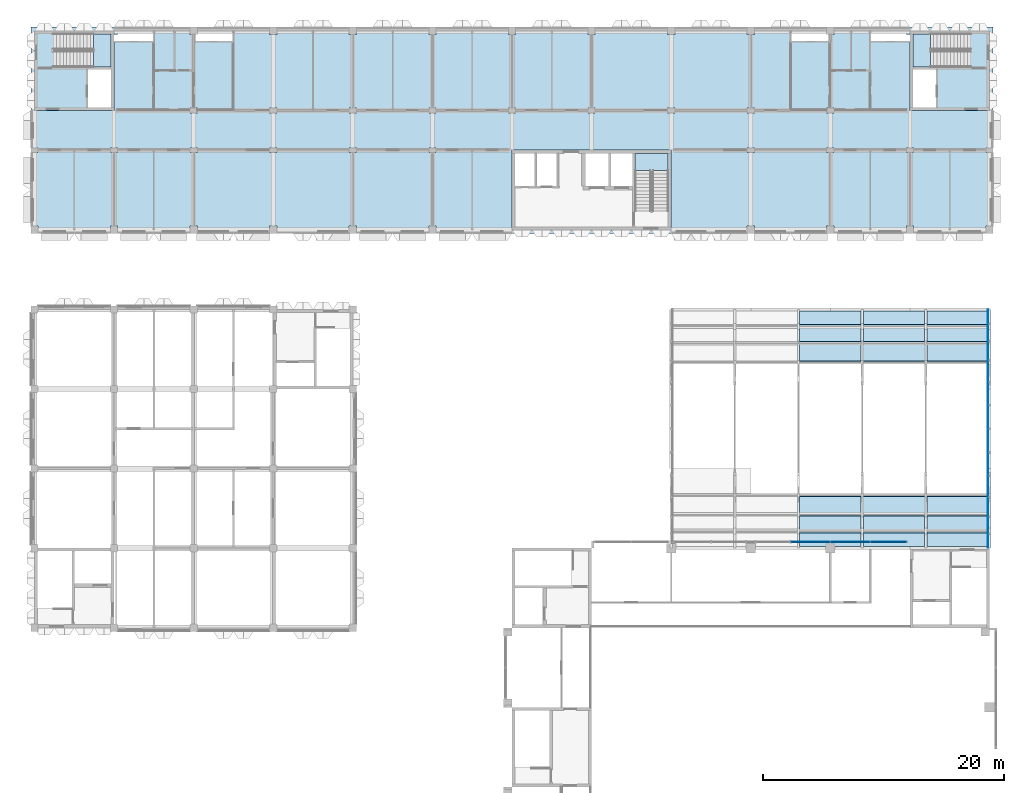
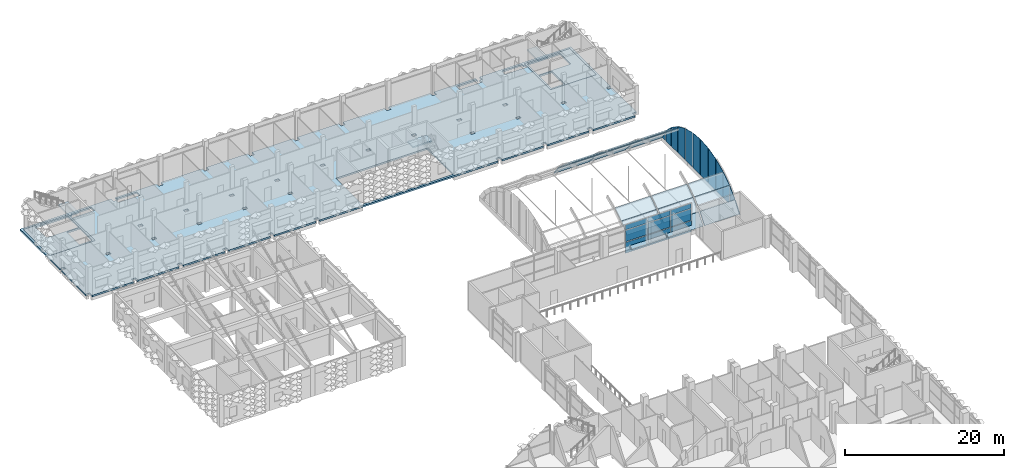
# One storey, part 39 of 102: 24 slabs, 21 plates, 4 elements without a shape of their own.
"""IFC4 building model written with IfcOpenShell, lengths in metres."""

from ifc_helpers import new_model, si_unit, direction, frame, origin, origin_2d, place, context, subcontext, project, spatial, polyline, rectangle, outline, extrude, material, layer, layer_set, type_object, element, aggregate, save


model = new_model("IFC4")

# Units and contexts
model_context = context("Model", 3, precision=1e-05, world=origin(), true_north=direction((0.0, 1.0)))
body_context = subcontext(model_context, "Body", "Model", "MODEL_VIEW")
ifc_project = project(units=[si_unit("LENGTHUNIT", "METRE"), si_unit("AREAUNIT", "SQUARE_METRE"), si_unit("VOLUMEUNIT", "CUBIC_METRE"), si_unit("PLANEANGLEUNIT", "RADIAN"), si_unit("MASSUNIT", "GRAM", prefix="KILO")], contexts=[model_context])

# Site, building, storey
site_placement = place(None, origin())
site = spatial("IfcSite", under=ifc_project, at=site_placement, CompositionType="ELEMENT")
building_placement = place(site_placement, origin())
building = spatial("IfcBuilding", under=site, at=building_placement, Name="Lantern Court Research Institute", CompositionType="ELEMENT")
storey_placement = place(building_placement, frame((0.0, 0.0, 9.89990234375)))
storey = spatial("IfcBuildingStorey", under=building, at=storey_placement, Name="L02", CompositionType="ELEMENT", Elevation=9.89990234375)

# Curtain wall, plates
ifc_material_1 = material(Name="Aluminium alloy 6063-T6", Category="aluminium")
curtain_wall_type = type_object("IfcCurtainWallType", Name="Curtain wall 19450 x 4500 x 150 aluminium frame", PredefinedType="NOTDEFINED", material=ifc_material_1)
curtain_wall_placement = place(storey_placement, origin())
curtain_wall = element("IfcCurtainWall", 1, at=curtain_wall_placement, inside=storey, type_object=curtain_wall_type, Name="Curtain wall CW036", PredefinedType="NOTDEFINED")
ifc_material_2 = material(Name="Fire-resisting insulated aluminium spandrel panel", Category="aluminium")
ifc_layer_1 = layer(ifc_material_2, 0.1201171875)
ifc_layer_set_1 = layer_set([ifc_layer_1], Name="Fire-resisting insulated aluminium spandrel panel")
plate_type_1 = type_object("IfcPlateType", Name="Fire-resisting spandrel panel 120 mm", PredefinedType="CURTAIN_PANEL", material=ifc_layer_set_1)
plate_1_placement = place(storey_placement, frame((64.35009765625, 56.625, 0.10009765625), z_axis=(0.0, 0.0, 1.0), x_axis=(1.0, 0.0, 0.0)))
plate_1 = element("IfcPlate", 2, at=plate_1_placement, type_object=plate_type_1, Name="CW036 spandrel panel 5.1", PredefinedType="CURTAIN_PANEL", context=body_context, shape_type="SweptSolid", body=[
    extrude(rectangle(XDim=3.199951171875, YDim=0.1201171875, at=origin_2d()), origin(), (0.0, 0.0, 1.0), 1.64990234375),
])
plate_2_placement = place(storey_placement, frame((67.64990234375, 56.625, 0.10009765625), z_axis=(0.0, 0.0, 1.0), x_axis=(1.0, 0.0, 0.0)))
plate_2 = element("IfcPlate", 3, at=plate_2_placement, type_object=plate_type_1, Name="CW036 spandrel panel 6.1", PredefinedType="CURTAIN_PANEL", context=body_context, shape_type="SweptSolid", body=[
    extrude(rectangle(XDim=3.199951171875, YDim=0.1201171875, at=origin_2d()), origin(), (0.0, 0.0, 1.0), 1.64990234375),
])
plate_3_placement = place(storey_placement, frame((70.824951171875, 56.625, 0.10009765625), z_axis=(0.0, 0.0, 1.0), x_axis=(1.0, 0.0, 0.0)))
plate_3 = element("IfcPlate", 4, at=plate_3_placement, type_object=plate_type_1, Name="CW036 spandrel panel 7.1", PredefinedType="CURTAIN_PANEL", context=body_context, shape_type="SweptSolid", body=[
    extrude(rectangle(XDim=2.949951171875, YDim=0.1201171875, at=origin_2d()), origin(), (0.0, 0.0, 1.0), 1.64990234375),
])

# Plates
ifc_material_3 = material(Name="Laminated low-emissivity glass", Category="glass")
ifc_layer_2 = layer(ifc_material_3, 0.035888671875)
ifc_layer_set_2 = layer_set([ifc_layer_2], Name="Laminated low-emissivity glass")
plate_type_2 = type_object("IfcPlateType", Name="Gable glazing panel 36", PredefinedType="SHEET", material=ifc_layer_set_2)
plate_4_placement = place(storey_placement, frame((79.08203125, 56.1201171875, 0.64013671875), z_axis=(0.0, 0.0, 1.0), x_axis=(0.0, 1.0, 0.0)))
element("IfcPlate", 5, at=plate_4_placement, inside=storey, type_object=plate_type_2, Name="Gable glazing panel", PredefinedType="SHEET", context=body_context, shape_type="SweptSolid", body=[
    extrude(outline(polyline([(0.0, 0.0), (1.09716796875, 0.0), (1.097412109375, 1.497314453125), (0.0, 0.02685546875), (0.0, 0.0)])), frame((0.0, 0.01806640625, 0.0), z_axis=(0.0, -1.0, 0.0), x_axis=(1.0, 0.0, 0.0)), (0.0, 0.0, 1.0), 0.035888671875),
])
plate_5_placement = place(storey_placement, frame((79.08203125, 57.33740234375, 0.64013671875), z_axis=(0.0, 0.0, 1.0), x_axis=(0.0, 1.0, 0.0)))
element("IfcPlate", 6, at=plate_5_placement, inside=storey, type_object=plate_type_2, Name="Gable glazing panel", PredefinedType="SHEET", context=body_context, shape_type="SweptSolid", body=[
    extrude(outline(polyline([(0.0, 0.0), (1.305908203125, 0.0), (1.305908203125, 2.877685546875), (0.0, 1.634765625), (0.0, 0.0)])), frame((0.0, 0.01806640625, 0.0), z_axis=(0.0, -1.0, 0.0), x_axis=(1.0, 0.0, 0.0)), (0.0, 0.0, 1.0), 0.035888671875),
])
plate_6_placement = place(storey_placement, frame((79.08203125, 58.763427734375, 0.64013671875), z_axis=(0.0, 0.0, 1.0), x_axis=(0.0, 1.0, 0.0)))
element("IfcPlate", 7, at=plate_6_placement, inside=storey, type_object=plate_type_2, Name="Gable glazing panel", PredefinedType="SHEET", context=body_context, shape_type="SweptSolid", body=[
    extrude(outline(polyline([(0.0, 0.0), (1.513916015625, 0.0), (1.513916015625, 3.992431640625), (0.0, 2.97509765625), (0.0, 0.0)])), frame((0.0, 0.01806640625, 0.0), z_axis=(0.0, -1.0, 0.0), x_axis=(1.0, 0.0, 0.0)), (0.0, 0.0, 1.0), 0.035888671875),
])
plate_7_placement = place(storey_placement, frame((79.08203125, 60.3974609375, 0.64013671875), z_axis=(0.0, 0.0, 1.0), x_axis=(0.0, 1.0, 0.0)))
element("IfcPlate", 8, at=plate_7_placement, inside=storey, type_object=plate_type_2, Name="Gable glazing panel", PredefinedType="SHEET", context=body_context, shape_type="SweptSolid", body=[
    extrude(outline(polyline([(0.0, 0.0), (1.67529296875, 0.0), (1.67529296875, 4.81298828125), (0.0, 4.0595703125), (0.0, 0.0)])), frame((0.0, 0.01806640625, 0.0), z_axis=(0.0, -1.0, 0.0), x_axis=(1.0, 0.0, 0.0)), (0.0, 0.0, 1.0), 0.035888671875),
])
plate_8_placement = place(storey_placement, frame((79.08203125, 62.19287109375, 0.64013671875), z_axis=(0.0, 0.0, 1.0), x_axis=(0.0, 1.0, 0.0)))
element("IfcPlate", 9, at=plate_8_placement, inside=storey, type_object=plate_type_2, Name="Gable glazing panel", PredefinedType="SHEET", context=body_context, shape_type="SweptSolid", body=[
    extrude(outline(polyline([(0.0, 0.0), (1.78564453125, 0.0), (1.78564453125, 5.318115234375), (0.0, 4.85546875), (0.0, 0.0)])), frame((0.0, 0.01806640625, 0.0), z_axis=(0.0, -1.0, 0.0), x_axis=(1.0, 0.0, 0.0)), (0.0, 0.0, 1.0), 0.035888671875),
])
plate_9_placement = place(storey_placement, frame((79.08203125, 64.098388671875, 0.64013671875), z_axis=(0.0, 0.0, 1.0), x_axis=(0.0, 1.0, 0.0)))
element("IfcPlate", 10, at=plate_9_placement, inside=storey, type_object=plate_type_2, Name="Gable glazing panel", PredefinedType="SHEET", context=body_context, shape_type="SweptSolid", body=[
    extrude(outline(polyline([(0.0, 0.0), (1.841552734375, 0.0), (1.841552734375, 5.494873046875), (0.0, 5.3388671875), (0.0, 0.0)])), frame((0.0, 0.01806640625, 0.0), z_axis=(0.0, -1.0, 0.0), x_axis=(1.0, 0.0, 0.0)), (0.0, 0.0, 1.0), 0.035888671875),
])
plate_10_placement = place(storey_placement, frame((79.08203125, 66.06005859375, 0.64013671875), z_axis=(0.0, 0.0, 1.0), x_axis=(0.0, 1.0, 0.0)))
element("IfcPlate", 11, at=plate_10_placement, inside=storey, type_object=plate_type_2, Name="Gable glazing panel", PredefinedType="SHEET", context=body_context, shape_type="SweptSolid", body=[
    extrude(outline(polyline([(0.0, 0.0), (1.841552734375, 0.0), (1.841552734375, 5.3388671875), (0.0, 5.494873046875), (0.0, 0.0)])), frame((0.0, 0.01806640625, 0.0), z_axis=(0.0, -1.0, 0.0), x_axis=(1.0, 0.0, 0.0)), (0.0, 0.0, 1.0), 0.035888671875),
])
plate_11_placement = place(storey_placement, frame((79.08203125, 68.021484375, 0.64013671875), z_axis=(0.0, 0.0, 1.0), x_axis=(0.0, 1.0, 0.0)))
element("IfcPlate", 12, at=plate_11_placement, inside=storey, type_object=plate_type_2, Name="Gable glazing panel", PredefinedType="SHEET", context=body_context, shape_type="SweptSolid", body=[
    extrude(outline(polyline([(0.0, 0.0), (1.78564453125, 0.0), (1.78564453125, 4.85546875), (0.0, 5.318115234375), (0.0, 0.0)])), frame((0.0, 0.01806640625, 0.0), z_axis=(0.0, -1.0, 0.0), x_axis=(1.0, 0.0, 0.0)), (0.0, 0.0, 1.0), 0.035888671875),
])
plate_12_placement = place(storey_placement, frame((79.08203125, 69.92724609375, 0.64013671875), z_axis=(0.0, 0.0, 1.0), x_axis=(0.0, 1.0, 0.0)))
element("IfcPlate", 13, at=plate_12_placement, inside=storey, type_object=plate_type_2, Name="Gable glazing panel", PredefinedType="SHEET", context=body_context, shape_type="SweptSolid", body=[
    extrude(outline(polyline([(0.0, 0.0), (1.67529296875, 0.0), (1.67529296875, 4.0595703125), (0.0, 4.81298828125), (0.0, 0.0)])), frame((0.0, 0.01806640625, 0.0), z_axis=(0.0, -1.0, 0.0), x_axis=(1.0, 0.0, 0.0)), (0.0, 0.0, 1.0), 0.035888671875),
])
plate_13_placement = place(storey_placement, frame((79.08203125, 71.72265625, 0.64013671875), z_axis=(0.0, 0.0, 1.0), x_axis=(0.0, 1.0, 0.0)))
element("IfcPlate", 14, at=plate_13_placement, inside=storey, type_object=plate_type_2, Name="Gable glazing panel", PredefinedType="SHEET", context=body_context, shape_type="SweptSolid", body=[
    extrude(outline(polyline([(0.0, 0.0), (1.513916015625, 0.0), (1.513916015625, 2.97509765625), (0.0, 3.992431640625), (0.0, 0.0)])), frame((0.0, 0.01806640625, 0.0), z_axis=(0.0, -1.0, 0.0), x_axis=(1.0, 0.0, 0.0)), (0.0, 0.0, 1.0), 0.035888671875),
])
plate_14_placement = place(storey_placement, frame((79.08203125, 73.356689453125, 0.64013671875), z_axis=(0.0, 0.0, 1.0), x_axis=(0.0, 1.0, 0.0)))
element("IfcPlate", 15, at=plate_14_placement, inside=storey, type_object=plate_type_2, Name="Gable glazing panel", PredefinedType="SHEET", context=body_context, shape_type="SweptSolid", body=[
    extrude(outline(polyline([(0.0, 0.0), (1.305908203125, 0.0), (1.305908203125, 1.634765625), (0.0, 2.877685546875), (0.0, 0.0)])), frame((0.0, 0.01806640625, 0.0), z_axis=(0.0, -1.0, 0.0), x_axis=(1.0, 0.0, 0.0)), (0.0, 0.0, 1.0), 0.035888671875),
])
plate_15_placement = place(storey_placement, frame((79.08203125, 74.78271484375, 0.64013671875), z_axis=(0.0, 0.0, 1.0), x_axis=(0.0, 1.0, 0.0)))
element("IfcPlate", 16, at=plate_15_placement, inside=storey, type_object=plate_type_2, Name="Gable glazing panel", PredefinedType="SHEET", context=body_context, shape_type="SweptSolid", body=[
    extrude(outline(polyline([(0.0, 0.0), (1.09716796875, 0.0), (1.097412109375, 0.02685546875), (0.0, 1.497314453125), (0.0, 0.0)])), frame((0.0, 0.01806640625, 0.0), z_axis=(0.0, -1.0, 0.0), x_axis=(1.0, 0.0, 0.0)), (0.0, 0.0, 1.0), 0.035888671875),
])

# Plate
ifc_material_4 = material(Name="Laminated low-emissivity glass", Category="glass")
ifc_layer_3 = layer(ifc_material_4, 0.028076171875)
ifc_layer_set_3 = layer_set([ifc_layer_3], Name="Laminated low-emissivity glass")
plate_type_3 = type_object("IfcPlateType", Name="Laminated low-emissivity unit 28 mm", PredefinedType="CURTAIN_PANEL", material=ifc_layer_set_3)
plate_16_placement = place(storey_placement, frame((64.35009765625, 56.625, 1.85009765625), z_axis=(0.0, 0.0, 1.0), x_axis=(1.0, 0.0, 0.0)))
plate_16 = element("IfcPlate", 17, at=plate_16_placement, type_object=plate_type_3, Name="CW036 glazed panel 5.2", PredefinedType="CURTAIN_PANEL", context=body_context, shape_type="SweptSolid", body=[
    extrude(rectangle(XDim=3.199951171875, YDim=0.028076171875, at=origin_2d()), origin(), (0.0, 0.0, 1.0), 1.699951171875),
])

plate_17_placement = place(storey_placement, frame((64.35009765625, 56.625, 3.650146484375), z_axis=(0.0, 0.0, 1.0), x_axis=(1.0, 0.0, 0.0)))
plate_17 = element("IfcPlate", 18, at=plate_17_placement, type_object=plate_type_3, Name="CW036 glazed panel 5.3", PredefinedType="CURTAIN_PANEL", context=body_context, shape_type="SweptSolid", body=[
    extrude(rectangle(XDim=3.199951171875, YDim=0.028076171875, at=origin_2d()), origin(), (0.0, 0.0, 1.0), 0.75),
])

plate_18_placement = place(storey_placement, frame((67.64990234375, 56.625, 1.85009765625), z_axis=(0.0, 0.0, 1.0), x_axis=(1.0, 0.0, 0.0)))
plate_18 = element("IfcPlate", 19, at=plate_18_placement, type_object=plate_type_3, Name="CW036 glazed panel 6.2", PredefinedType="CURTAIN_PANEL", context=body_context, shape_type="SweptSolid", body=[
    extrude(rectangle(XDim=3.199951171875, YDim=0.028076171875, at=origin_2d()), origin(), (0.0, 0.0, 1.0), 1.699951171875),
])

plate_19_placement = place(storey_placement, frame((67.64990234375, 56.625, 3.650146484375), z_axis=(0.0, 0.0, 1.0), x_axis=(1.0, 0.0, 0.0)))
plate_19 = element("IfcPlate", 20, at=plate_19_placement, type_object=plate_type_3, Name="CW036 glazed panel 6.3", PredefinedType="CURTAIN_PANEL", context=body_context, shape_type="SweptSolid", body=[
    extrude(rectangle(XDim=3.199951171875, YDim=0.028076171875, at=origin_2d()), origin(), (0.0, 0.0, 1.0), 0.75),
])

plate_20_placement = place(storey_placement, frame((70.824951171875, 56.625, 1.85009765625), z_axis=(0.0, 0.0, 1.0), x_axis=(1.0, 0.0, 0.0)))
plate_20 = element("IfcPlate", 21, at=plate_20_placement, type_object=plate_type_3, Name="CW036 glazed panel 7.2", PredefinedType="CURTAIN_PANEL", context=body_context, shape_type="SweptSolid", body=[
    extrude(rectangle(XDim=2.949951171875, YDim=0.028076171875, at=origin_2d()), origin(), (0.0, 0.0, 1.0), 1.699951171875),
])

plate_21_placement = place(storey_placement, frame((70.824951171875, 56.625, 3.650146484375), z_axis=(0.0, 0.0, 1.0), x_axis=(1.0, 0.0, 0.0)))
plate_21 = element("IfcPlate", 22, at=plate_21_placement, type_object=plate_type_3, Name="CW036 glazed panel 7.3", PredefinedType="CURTAIN_PANEL", context=body_context, shape_type="SweptSolid", body=[
    extrude(rectangle(XDim=2.949951171875, YDim=0.028076171875, at=origin_2d()), origin(), (0.0, 0.0, 1.0), 0.75),
])

aggregate(curtain_wall, [plate_1, plate_16, plate_17, plate_2, plate_18, plate_19, plate_3, plate_20, plate_21])

# Slabs
ifc_material_5 = material(Name="Concrete C35/45", Category="concrete")
ifc_layer_4 = layer(ifc_material_5, 0.25)
ifc_layer_set_4 = layer_set([ifc_layer_4], Name="Concrete C35/45")
slab_type_1 = type_object("IfcSlabType", Name="RC core floor slab 250", PredefinedType="FLOOR", material=ifc_layer_set_4)
slab_1_placement = place(storey_placement, frame((0.0, 0.0, -0.25)))
element("IfcSlab", 23, at=slab_1_placement, inside=storey, type_object=slab_type_1, Name="Floor of core WC-W", PredefinedType="FLOOR", context=body_context, shape_type="SweptSolid", body=[
    extrude(outline(polyline([(0.0, 92.39990234375), (6.60009765625, 92.39990234375), (6.60009765625, 99.0), (0.0, 99.0), (0.0, 92.39990234375)]), holes=[polyline([(1.60009765625, 96.0), (6.35009765625, 96.0), (6.35009765625, 98.75), (1.60009765625, 98.75), (1.60009765625, 96.0)]), polyline([(4.449951171875, 92.64990234375), (4.449951171875, 95.800048828125), (6.35009765625, 95.800048828125), (6.35009765625, 92.64990234375), (4.449951171875, 92.64990234375)])]), origin(), (0.0, 0.0, 1.0), 0.25),
])
slab_2_placement = place(storey_placement, frame((0.0, 0.0, -0.25)))
element("IfcSlab", 24, at=slab_2_placement, inside=storey, type_object=slab_type_1, Name="Floor of core WC-E", PredefinedType="FLOOR", context=body_context, shape_type="SweptSolid", body=[
    extrude(outline(polyline([(72.60009765625, 92.39990234375), (79.199951171875, 92.39990234375), (79.199951171875, 99.0), (72.60009765625, 99.0), (72.60009765625, 92.39990234375)]), holes=[polyline([(77.60009765625, 98.75), (72.85009765625, 98.75), (72.85009765625, 96.0), (77.60009765625, 96.0), (77.60009765625, 98.75)]), polyline([(72.85009765625, 92.64990234375), (72.85009765625, 95.800048828125), (74.75, 95.800048828125), (74.75, 92.64990234375), (72.85009765625, 92.64990234375)])]), origin(), (0.0, 0.0, 1.0), 0.25),
])
ifc_material_6 = material(Name="Concrete C35/45", Category="concrete")
ifc_layer_5 = layer(ifc_material_6, 0.25)
ifc_layer_set_5 = layer_set([ifc_layer_5], Name="Concrete C35/45")
slab_type_2 = type_object("IfcSlabType", Name="RC floor slab 250", PredefinedType="FLOOR", material=ifc_layer_set_5)
slab_3_placement = place(storey_placement, frame((0.0, 0.0, -0.25)))
element("IfcSlab", 25, at=slab_3_placement, inside=storey, type_object=slab_type_2, Name="Floor slab L02 Write-up and Seminar Wing", PredefinedType="FLOOR", context=body_context, shape_type="SweptSolid", body=[
    extrude(outline(polyline([(-0.300048828125, 89.300048828125), (0.300048828125, 89.300048828125), (0.300048828125, 88.89990234375), (-0.300048828125, 88.89990234375), (-0.300048828125, 82.800048828125), (0.300048828125, 82.800048828125), (0.300048828125, 82.199951171875), (6.300048828125, 82.199951171875), (6.300048828125, 82.800048828125), (6.89990234375, 82.800048828125), (6.89990234375, 82.199951171875), (12.89990234375, 82.199951171875), (12.89990234375, 82.800048828125), (13.5, 82.800048828125), (13.5, 82.199951171875), (19.5, 82.199951171875), (19.5, 82.800048828125), (20.10009765625, 82.800048828125), (20.10009765625, 82.199951171875), (26.10009765625, 82.199951171875), (26.10009765625, 82.800048828125), (26.699951171875, 82.800048828125), (26.699951171875, 82.199951171875), (32.699951171875, 82.199951171875), (32.699951171875, 82.800048828125), (33.300048828125, 82.800048828125), (33.300048828125, 82.199951171875), (59.10009765625, 82.199951171875), (59.10009765625, 82.800048828125), (59.699951171875, 82.800048828125), (59.699951171875, 82.199951171875), (65.699951171875, 82.199951171875), (65.699951171875, 82.800048828125), (66.300048828125, 82.800048828125), (66.300048828125, 82.199951171875), (72.300048828125, 82.199951171875), (72.300048828125, 82.800048828125), (72.89990234375, 82.800048828125), (72.89990234375, 82.199951171875), (78.89990234375, 82.199951171875), (78.89990234375, 82.800048828125), (79.5, 82.800048828125), (79.5, 88.89990234375), (78.89990234375, 88.89990234375), (78.89990234375, 89.300048828125), (79.5, 89.300048828125), (79.5, 99.0), (79.5, 99.300048828125), (66.300048828125, 99.300048828125), (66.300048828125, 98.699951171875), (65.945068359375, 98.699951171875), (65.945068359375, 98.155029296875), (62.7548828125, 98.155029296875), (62.7548828125, 99.0), (65.698974609375, 99.0), (65.699951171875, 98.699951171875), (65.699951171875, 99.300048828125), (59.699951171875, 99.300048828125), (59.699951171875, 98.699951171875), (59.10009765625, 98.699951171875), (59.10009765625, 99.300048828125), (53.10009765625, 99.300048828125), (53.10009765625, 98.699951171875), (52.5, 98.699951171875), (52.5, 99.300048828125), (46.5, 99.300048828125), (46.5, 98.699951171875), (45.89990234375, 98.699951171875), (45.89990234375, 99.300048828125), (39.89990234375, 99.300048828125), (39.89990234375, 98.699951171875), (39.300048828125, 98.699951171875), (39.300048828125, 99.300048828125), (33.300048828125, 99.300048828125), (33.300048828125, 98.699951171875), (32.699951171875, 98.699951171875), (32.699951171875, 99.300048828125), (26.699951171875, 99.300048828125), (26.699951171875, 98.699951171875), (26.10009765625, 98.699951171875), (26.10009765625, 99.300048828125), (20.10009765625, 99.300048828125), (20.10009765625, 98.699951171875), (19.5, 98.699951171875), (19.5, 99.300048828125), (13.5, 99.300048828125), (13.5, 98.699951171875), (13.5009765625, 99.0), (16.445068359375, 99.0), (16.445068359375, 98.155029296875), (13.2548828125, 98.155029296875), (13.2548828125, 98.699951171875), (12.89990234375, 98.699951171875), (12.89990234375, 99.300048828125), (-0.300048828125, 99.300048828125), (-0.300048828125, 99.0), (-0.300048828125, 89.300048828125)]), holes=[polyline([(72.60009765625, 99.0), (79.199951171875, 99.0), (79.199951171875, 92.39990234375), (72.60009765625, 92.39990234375), (72.60009765625, 98.155029296875), (69.35498046875, 98.155029296875), (69.35498046875, 99.0), (72.300048828125, 99.0), (72.300048828125, 98.699951171875), (72.60009765625, 98.699951171875), (72.60009765625, 99.0)]), polyline([(72.300048828125, 89.300048828125), (72.89990234375, 89.300048828125), (72.89990234375, 88.89990234375), (72.300048828125, 88.89990234375), (72.300048828125, 89.300048828125)]), polyline([(65.699951171875, 92.60009765625), (66.300048828125, 92.60009765625), (66.300048828125, 92.199951171875), (65.699951171875, 92.199951171875), (65.699951171875, 92.60009765625)]), polyline([(65.699951171875, 89.300048828125), (66.300048828125, 89.300048828125), (66.300048828125, 88.89990234375), (65.699951171875, 88.89990234375), (65.699951171875, 89.300048828125)]), polyline([(59.10009765625, 92.60009765625), (59.699951171875, 92.60009765625), (59.699951171875, 92.199951171875), (59.10009765625, 92.199951171875), (59.10009765625, 92.60009765625)]), polyline([(59.10009765625, 88.89990234375), (59.10009765625, 89.300048828125), (59.699951171875, 89.300048828125), (59.699951171875, 88.89990234375), (59.10009765625, 88.89990234375)]), polyline([(52.5, 92.60009765625), (53.10009765625, 92.60009765625), (53.10009765625, 92.199951171875), (52.5, 92.199951171875), (52.5, 92.60009765625)]), polyline([(39.60009765625, 89.10009765625), (52.800048828125, 89.10009765625), (52.800048828125, 82.5), (39.60009765625, 82.5), (39.60009765625, 89.10009765625)]), polyline([(45.89990234375, 92.199951171875), (45.89990234375, 92.60009765625), (46.5, 92.60009765625), (46.5, 92.199951171875), (45.89990234375, 92.199951171875)]), polyline([(39.300048828125, 92.60009765625), (39.89990234375, 92.60009765625), (39.89990234375, 92.199951171875), (39.300048828125, 92.199951171875), (39.300048828125, 92.60009765625)]), polyline([(32.699951171875, 89.300048828125), (33.300048828125, 89.300048828125), (33.300048828125, 88.89990234375), (32.699951171875, 88.89990234375), (32.699951171875, 89.300048828125)]), polyline([(32.699951171875, 92.199951171875), (32.699951171875, 92.60009765625), (33.300048828125, 92.60009765625), (33.300048828125, 92.199951171875), (32.699951171875, 92.199951171875)]), polyline([(26.10009765625, 92.60009765625), (26.699951171875, 92.60009765625), (26.699951171875, 92.199951171875), (26.10009765625, 92.199951171875), (26.10009765625, 92.60009765625)]), polyline([(26.10009765625, 89.300048828125), (26.699951171875, 89.300048828125), (26.699951171875, 88.89990234375), (26.10009765625, 88.89990234375), (26.10009765625, 89.300048828125)]), polyline([(19.5, 92.60009765625), (20.10009765625, 92.60009765625), (20.10009765625, 92.199951171875), (19.5, 92.199951171875), (19.5, 92.60009765625)]), polyline([(19.5, 89.300048828125), (20.10009765625, 89.300048828125), (20.10009765625, 88.89990234375), (19.5, 88.89990234375), (19.5, 89.300048828125)]), polyline([(12.89990234375, 89.300048828125), (13.5, 89.300048828125), (13.5, 88.89990234375), (12.89990234375, 88.89990234375), (12.89990234375, 89.300048828125)]), polyline([(12.89990234375, 92.199951171875), (12.89990234375, 92.60009765625), (13.5, 92.60009765625), (13.5, 92.199951171875), (12.89990234375, 92.199951171875)]), polyline([(6.300048828125, 88.89990234375), (6.300048828125, 89.300048828125), (6.89990234375, 89.300048828125), (6.89990234375, 88.89990234375), (6.300048828125, 88.89990234375)]), polyline([(0.0, 99.0), (6.60009765625, 99.0), (6.60009765625, 98.699951171875), (6.89990234375, 98.699951171875), (6.89990234375, 99.0), (9.844970703125, 99.0), (9.844970703125, 98.155029296875), (6.60009765625, 98.155029296875), (6.60009765625, 92.39990234375), (0.0, 92.39990234375), (0.0, 99.0)])]), origin(), (0.0, 0.0, 1.0), 0.25),
])

# Stair, slab
ifc_material_7 = material(Name="Concrete C40/50", Category="concrete")
stair_type = type_object("IfcStairType", Name="RC half-turn stair 1300 wide, 4500 rise, 6100 shaft", PredefinedType="HALF_TURN_STAIR", material=ifc_material_7)
stair_1_placement = place(storey_placement, origin())
stair_1 = element("IfcStair", 26, at=stair_1_placement, inside=storey, type_object=stair_type, Name="L02 stair ST-W1", PredefinedType="HALF_TURN_STAIR")
ifc_material_8 = material(Name="Concrete C40/50", Category="concrete")
ifc_layer_6 = layer(ifc_material_8, 0.199951171875)
ifc_layer_set_6 = layer_set([ifc_layer_6], Name="Concrete C40/50")
slab_type_3 = type_object("IfcSlabType", Name="RC stair landing 200", PredefinedType="LANDING", material=ifc_layer_set_6)
slab_4_placement = place(storey_placement, frame((0.0, 0.0, 2.050048828125)))
slab_4 = element("IfcSlab", 27, at=slab_4_placement, type_object=slab_type_3, Name="ST-W1 landing 1", PredefinedType="LANDING", context=body_context, shape_type="SweptSolid", body=[
    extrude(outline(polyline([(4.909912109375, 96.0), (6.35009765625, 96.0), (6.35009765625, 98.75), (4.909912109375, 98.75), (4.909912109375, 96.0)])), origin(), (0.0, 0.0, 1.0), 0.199951171875),
])
aggregate(stair_1, [slab_4])

stair_2_placement = place(storey_placement, origin())
stair_2 = element("IfcStair", 28, at=stair_2_placement, inside=storey, type_object=stair_type, Name="L02 stair ST-W2", PredefinedType="HALF_TURN_STAIR")
slab_5_placement = place(storey_placement, frame((0.0, 0.0, 2.050048828125)))
slab_5 = element("IfcSlab", 29, at=slab_5_placement, type_object=slab_type_3, Name="ST-W2 landing 1", PredefinedType="LANDING", context=body_context, shape_type="SweptSolid", body=[
    extrude(outline(polyline([(52.550048828125, 87.409912109375), (52.550048828125, 88.85009765625), (49.800048828125, 88.85009765625), (49.800048828125, 87.409912109375), (52.550048828125, 87.409912109375)])), origin(), (0.0, 0.0, 1.0), 0.199951171875),
])
aggregate(stair_2, [slab_5])

stair_3_placement = place(storey_placement, origin())
stair_3 = element("IfcStair", 30, at=stair_3_placement, inside=storey, type_object=stair_type, Name="L02 stair ST-W3", PredefinedType="HALF_TURN_STAIR")
slab_6_placement = place(storey_placement, frame((0.0, 0.0, 2.050048828125)))
slab_6 = element("IfcSlab", 31, at=slab_6_placement, type_object=slab_type_3, Name="ST-W3 landing 1", PredefinedType="LANDING", context=body_context, shape_type="SweptSolid", body=[
    extrude(outline(polyline([(74.2900390625, 98.75), (72.85009765625, 98.75), (72.85009765625, 96.0), (74.2900390625, 96.0), (74.2900390625, 98.75)])), origin(), (0.0, 0.0, 1.0), 0.199951171875),
])
aggregate(stair_3, [slab_6])

# Slabs
ifc_material_9 = material(Name="Cross-laminated timber C24", Category="wood")
ifc_layer_7 = layer(ifc_material_9, 0.1201171875)
ifc_layer_set_7 = layer_set([ifc_layer_7], Name="Cross-laminated timber C24")
slab_type_4 = type_object("IfcSlabType", Name="Timber roof deck 120", PredefinedType="ROOF", material=ifc_layer_set_7)
for number, where, z_axis, x_axis, name in (
    (32, (63.43994140625, 58.806396484375, 3.475341796875), (0.0, -0.557707476308, 0.830037571963), (1.0, 0.0, 0.0), "Timber roof deck panel"),
    (33, (63.43994140625, 71.609375, 4.539794921875), (0.0, 0.557707476308, 0.830037571963), (1.0, 0.0, 0.0), "Timber roof deck panel"),
    (34, (68.719970703125, 58.806396484375, 3.475341796875), (0.0, -0.557707476308, 0.830037571963), (1.0, 0.0, 0.0), "Timber roof deck panel"),
    (35, (68.719970703125, 71.609375, 4.539794921875), (0.0, 0.557707476308, 0.830037571963), (1.0, 0.0, 0.0), "Timber roof deck panel"),
    (36, (74.0, 58.806396484375, 3.475341796875), (0.0, -0.557707476308, 0.830037571963), (1.0, 0.0, 0.0), "Timber roof deck panel"),
    (37, (74.0, 71.609375, 4.539794921875), (0.0, 0.557707476308, 0.830037571963), (1.0, 0.0, 0.0), "Timber roof deck panel"),
):
    element("IfcSlab", number, at=place(storey_placement, frame(where, z_axis=z_axis, x_axis=x_axis)), inside=storey, type_object=slab_type_4, Name=name, PredefinedType="ROOF", context=body_context, shape_type="SweptSolid", body=[
        extrude(outline(polyline([(0.0, 0.0), (5.1201171875, 0.0), (5.1201171875, 1.9086226565357691), (0.0, 1.9086226565357691), (0.0, 0.0)])), origin(), (0.0, 0.0, -1.0), 0.1201171875),
    ])
ifc_material_10 = material(Name="Cross-laminated timber C24", Category="wood")
ifc_layer_8 = layer(ifc_material_10, 0.139892578125)
ifc_layer_set_8 = layer_set([ifc_layer_8], Name="Cross-laminated timber C24")
slab_type_5 = type_object("IfcSlabType", Name="Timber roof deck 140", PredefinedType="ROOF", material=ifc_layer_set_8)
slab_7_placement = place(storey_placement, frame((63.4599609375, 56.219970703125, 0.600341796875), z_axis=(0.0, -0.801401837917, 0.598126319588), x_axis=(1.0, 0.0, 0.0)))
element("IfcSlab", 38, at=slab_7_placement, inside=storey, type_object=slab_type_5, Name="Timber roof deck panel", PredefinedType="ROOF", context=body_context, shape_type="SweptSolid", body=[
    extrude(outline(polyline([(0.0, 0.0), (5.080078125, 0.0), (5.080078125, 1.8988333238421826), (0.0, 1.8988333238421826), (0.0, 0.0)])), origin(), (0.0, 0.0, -1.0), 0.139892578125),
])
for number, where, z_axis, x_axis, name in (
    (39, (63.4599609375, 57.3818359375, 2.151611328125), (0.0, -0.689364443388, 0.724414704566), (1.0, 0.0, 0.0), "Timber roof deck panel"),
    (40, (63.4599609375, 73.235595703125, 3.46728515625), (0.0, 0.689364443388, 0.724414704566), (1.0, 0.0, 0.0), "Timber roof deck panel"),
):
    element("IfcSlab", number, at=place(storey_placement, frame(where, z_axis=z_axis, x_axis=x_axis)), inside=storey, type_object=slab_type_5, Name=name, PredefinedType="ROOF", context=body_context, shape_type="SweptSolid", body=[
        extrude(outline(polyline([(0.0, 0.0), (5.080078125, 0.0), (5.080078125, 1.908531605805356), (0.0, 1.908531605805356), (0.0, 0.0)])), origin(), (0.0, 0.0, -1.0), 0.139892578125),
    ])
for number, where, z_axis, x_axis, name in (
    (41, (63.4599609375, 74.644287109375, 2.1220703125), (0.0, 0.801401837917, 0.598126319588), (1.0, 0.0, 0.0), "Timber roof deck panel"),
    (42, (68.739990234375, 56.219970703125, 0.600341796875), (0.0, -0.801401837917, 0.598126319588), (1.0, 0.0, 0.0), "Timber roof deck panel"),
):
    element("IfcSlab", number, at=place(storey_placement, frame(where, z_axis=z_axis, x_axis=x_axis)), inside=storey, type_object=slab_type_5, Name=name, PredefinedType="ROOF", context=body_context, shape_type="SweptSolid", body=[
        extrude(outline(polyline([(0.0, 0.0), (5.080078125, 0.0), (5.080078125, 1.8988333238421826), (0.0, 1.8988333238421826), (0.0, 0.0)])), origin(), (0.0, 0.0, -1.0), 0.139892578125),
    ])
for number, where, z_axis, x_axis, name in (
    (43, (68.739990234375, 57.3818359375, 2.151611328125), (0.0, -0.689364443388, 0.724414704566), (1.0, 0.0, 0.0), "Timber roof deck panel"),
    (44, (68.739990234375, 73.235595703125, 3.46728515625), (0.0, 0.689364443388, 0.724414704566), (1.0, 0.0, 0.0), "Timber roof deck panel"),
):
    element("IfcSlab", number, at=place(storey_placement, frame(where, z_axis=z_axis, x_axis=x_axis)), inside=storey, type_object=slab_type_5, Name=name, PredefinedType="ROOF", context=body_context, shape_type="SweptSolid", body=[
        extrude(outline(polyline([(0.0, 0.0), (5.080078125, 0.0), (5.080078125, 1.908531605805356), (0.0, 1.908531605805356), (0.0, 0.0)])), origin(), (0.0, 0.0, -1.0), 0.139892578125),
    ])
slab_8_placement = place(storey_placement, frame((68.739990234375, 74.644287109375, 2.1220703125), z_axis=(0.0, 0.801401837917, 0.598126319588), x_axis=(1.0, 0.0, 0.0)))
element("IfcSlab", 45, at=slab_8_placement, inside=storey, type_object=slab_type_5, Name="Timber roof deck panel", PredefinedType="ROOF", context=body_context, shape_type="SweptSolid", body=[
    extrude(outline(polyline([(0.0, 0.0), (5.080078125, 0.0), (5.080078125, 1.8988333238421826), (0.0, 1.8988333238421826), (0.0, 0.0)])), origin(), (0.0, 0.0, -1.0), 0.139892578125),
])
slab_9_placement = place(storey_placement, frame((74.02001953125, 56.219970703125, 0.600341796875), z_axis=(0.0, -0.801401837917, 0.598126319588), x_axis=(1.0, 0.0, 0.0)))
element("IfcSlab", 46, at=slab_9_placement, inside=storey, type_object=slab_type_5, Name="Timber roof deck panel", PredefinedType="ROOF", context=body_context, shape_type="SweptSolid", body=[
    extrude(outline(polyline([(0.0, 0.0), (5.06005859375, 0.0), (5.06005859375, 1.8988333238421826), (0.0, 1.8988333238421826), (0.0, 0.0)])), origin(), (0.0, 0.0, -1.0), 0.139892578125),
])
for number, where, z_axis, x_axis, name in (
    (47, (74.02001953125, 57.3818359375, 2.151611328125), (0.0, -0.689364443388, 0.724414704566), (1.0, 0.0, 0.0), "Timber roof deck panel"),
    (48, (74.02001953125, 73.235595703125, 3.46728515625), (0.0, 0.689364443388, 0.724414704566), (1.0, 0.0, 0.0), "Timber roof deck panel"),
):
    element("IfcSlab", number, at=place(storey_placement, frame(where, z_axis=z_axis, x_axis=x_axis)), inside=storey, type_object=slab_type_5, Name=name, PredefinedType="ROOF", context=body_context, shape_type="SweptSolid", body=[
        extrude(outline(polyline([(0.0, 0.0), (5.080078125, 0.0), (5.080078125, 1.908531605805356), (0.0, 1.908531605805356), (0.0, 0.0)])), origin(), (0.0, 0.0, -1.0), 0.139892578125),
    ])
slab_10_placement = place(storey_placement, frame((74.02001953125, 74.644287109375, 2.1220703125), z_axis=(0.0, 0.801401837917, 0.598126319588), x_axis=(1.0, 0.0, 0.0)))
element("IfcSlab", 49, at=slab_10_placement, inside=storey, type_object=slab_type_5, Name="Timber roof deck panel", PredefinedType="ROOF", context=body_context, shape_type="SweptSolid", body=[
    extrude(outline(polyline([(0.0, 0.0), (5.080078125, 0.0), (5.080078125, 1.8988333238421826), (0.0, 1.8988333238421826), (0.0, 0.0)])), origin(), (0.0, 0.0, -1.0), 0.139892578125),
])

save(model, "model.ifc")
